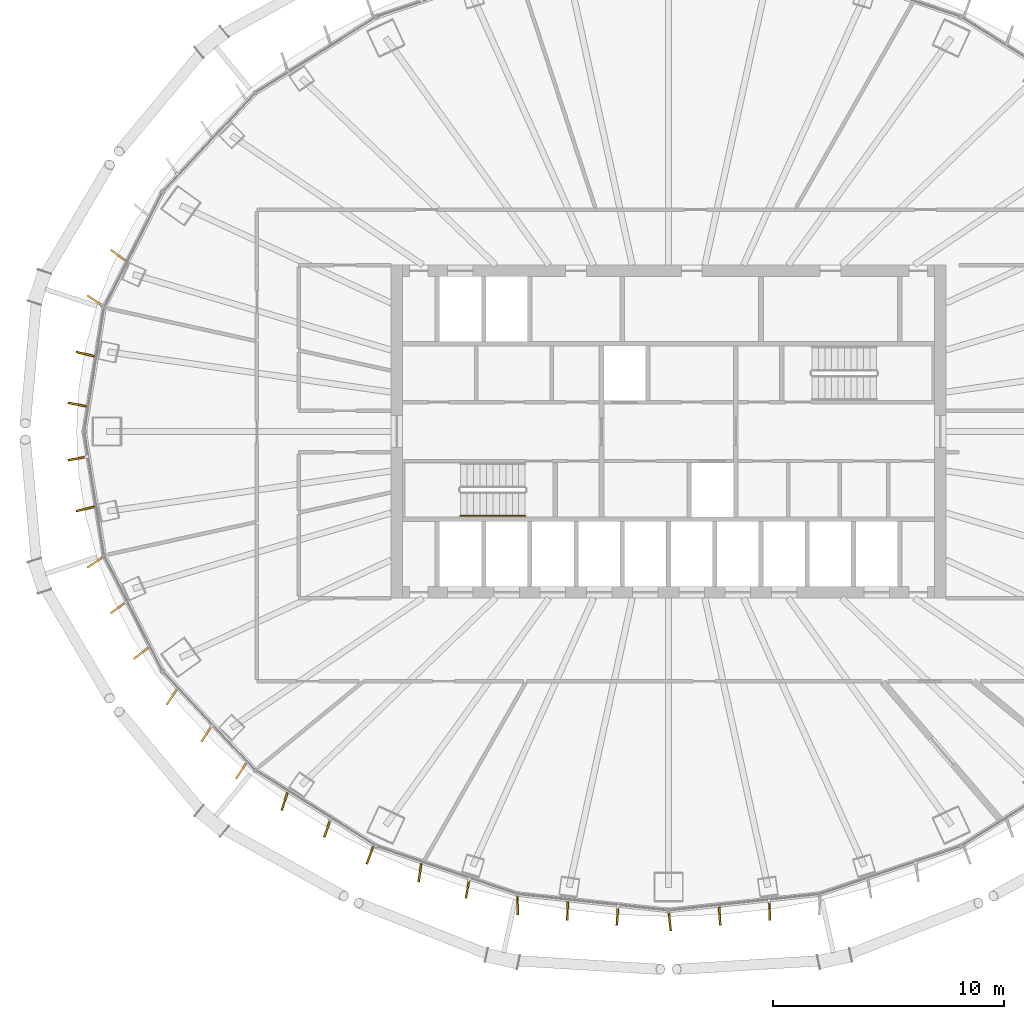
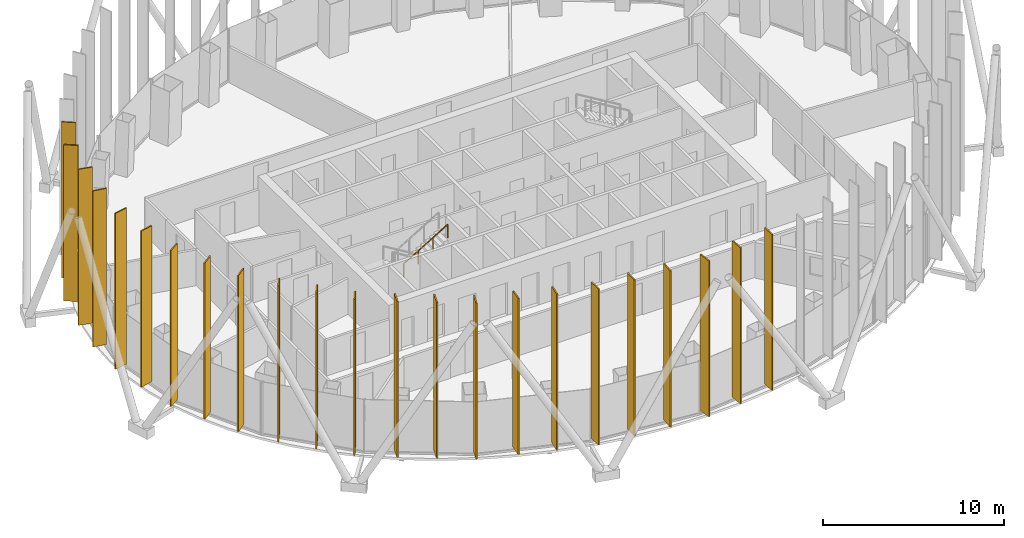
# One storey, part 16 of 19: 23 shading devices, 1 railing.
"""IFC4 building model written with IfcOpenShell, lengths in metres."""

from ifc_helpers import new_model, si_unit, direction, frame, origin, origin_2d, place, context, subcontext, project, spatial, rectangle, circle, extrude, material, layer, layer_set, type_object, element, save


model = new_model("IFC4")

# Units and contexts
model_context = context("Model", 3, precision=1e-05, world=origin(), true_north=direction((0.0, 1.0)))
body_context = subcontext(model_context, "Body", "Model", "MODEL_VIEW")
ifc_project = project(units=[si_unit("LENGTHUNIT", "METRE"), si_unit("AREAUNIT", "SQUARE_METRE"), si_unit("VOLUMEUNIT", "CUBIC_METRE"), si_unit("PLANEANGLEUNIT", "RADIAN"), si_unit("MASSUNIT", "GRAM", prefix="KILO")], contexts=[model_context])

# Site, building, storey
site_placement = place(None, origin())
site = spatial("IfcSite", under=ifc_project, at=site_placement, CompositionType="ELEMENT")
building_placement = place(site_placement, origin())
building = spatial("IfcBuilding", under=site, at=building_placement, Name="Siaravel Broadcast Tower", CompositionType="ELEMENT")
storey_placement = place(building_placement, frame((0.0, 0.0, 119.300048828125)))
storey = spatial("IfcBuildingStorey", under=building, at=storey_placement, Name="L28", CompositionType="ELEMENT", Elevation=119.300048828125)

# Shading devices
ifc_material_1 = material(Name="Bronze anodised aluminium", Category="aluminium")
ifc_layer = layer(ifc_material_1, 0.080078125)
ifc_layer_set = layer_set([ifc_layer], Name="Bronze anodised aluminium")
shading_device_type = type_object("IfcShadingDeviceType", Name="Bronze fin zone 2", PredefinedType="USERDEFINED", material=ifc_layer_set)
for number, where, z_axis, x_axis, name in (
    (1, (-23.80615234375, 7.624755859375, 0.300048828125), (0.0, 0.0, 1.0), (-0.807137574, 0.590363394, 0.0), "Bronze fin L28-30"),
    (2, (-24.802490234375, 5.6591796875, 0.300048828125), (0.0, 0.0, 1.0), (-0.830273079, 0.557356811, 0.0), "Bronze fin L28-31"),
    (3, (-25.226318359375, 3.347412109375, 0.300048828125), (0.0, 0.0, 1.0), (-0.972393954, 0.233345233, 0.0), "Bronze fin L28-32"),
    (4, (-25.57763671875, 1.16748046875, 0.300048828125), (0.0, 0.0, 1.0), (-0.982943054, 0.183910177, 0.0), "Bronze fin L28-33"),
    (5, (-25.57763671875, -1.16748046875, 0.300048828125), (0.0, 0.0, 1.0), (-0.982943054, -0.183910177, 0.0), "Bronze fin L28-34"),
    (6, (-25.226318359375, -3.347412109375, 0.300048828125), (0.0, 0.0, 1.0), (-0.972393954, -0.233345233, 0.0), "Bronze fin L28-35"),
    (7, (-24.802490234375, -5.6591796875, 0.300048828125), (0.0, 0.0, 1.0), (-0.830273079, -0.557356811, 0.0), "Bronze fin L28-36"),
    (8, (-23.80615234375, -7.624755859375, 0.300048828125), (0.0, 0.0, 1.0), (-0.807137574, -0.590363394, 0.0), "Bronze fin L28-37"),
    (9, (-22.810791015625, -9.587890625, 0.300048828125), (0.0, 0.0, 1.0), (-0.786810082, -0.617195184, 0.0), "Bronze fin L28-38"),
    (10, (-21.48583984375, -11.481689453125, 0.300048828125), (0.0, 0.0, 1.0), (-0.561615585, -0.827398293, 0.0), "Bronze fin L28-39"),
    (11, (-19.985107421875, -13.081787109375, 0.300048828125), (0.0, 0.0, 1.0), (-0.548520906, -0.83613684, 0.0), "Bronze fin L28-40"),
    (12, (-18.487060546875, -14.679931640625, 0.300048828125), (0.0, 0.0, 1.0), (-0.542925306, -0.839780991, 0.0), "Bronze fin L28-41"),
    (13, (-16.606689453125, -16.00048828125, 0.300048828125), (0.0, 0.0, 1.0), (-0.313902973, -0.949455067, 0.0), "Bronze fin L28-42"),
    (14, (-14.758544921875, -17.16357421875, 0.300048828125), (0.0, 0.0, 1.0), (-0.323991723, -0.946059915, 0.0), "Bronze fin L28-43"),
    (15, (-12.913330078125, -18.3251953125, 0.300048828125), (0.0, 0.0, 1.0), (-0.34143129, -0.939906737, 0.0), "Bronze fin L28-44"),
    (16, (-10.75341796875, -19.08154296875, 0.300048828125), (0.0, 0.0, 1.0), (-0.13857334, -0.990352174, 0.0), "Bronze fin L28-45"),
    (17, (-8.69384765625, -19.78271484375, 0.300048828125), (0.0, 0.0, 1.0), (-0.168948702, -0.985624846, 0.0), "Bronze fin L28-46"),
    (18, (-6.529296875, -20.49267578125, 0.300048828125), (0.0, 0.0, 1.0), (0.014447333, -0.999895632, 0.0), "Bronze fin L28-47"),
    (19, (-4.369384765625, -20.72705078125, 0.300048828125), (0.0, 0.0, 1.0), (-0.023969801, -0.999712683, 0.0), "Bronze fin L28-48"),
    (20, (-2.210693359375, -20.9609375, 0.300048828125), (0.0, 0.0, 1.0), (-0.065169754, -0.997874192, 0.0), "Bronze fin L28-49"),
    (21, (0.05224609375, -21.194091796875, 0.300048828125), (0.0, 0.0, 1.0), (0.107216783, -0.994235667, 0.0), "Bronze fin L28-50"),
    (22, (2.210693359375, -20.9609375, 0.300048828125), (0.0, 0.0, 1.0), (0.065169754, -0.997874192, 0.0), "Bronze fin L28-51"),
    (23, (4.369384765625, -20.72705078125, 0.300048828125), (0.0, 0.0, 1.0), (0.023969801, -0.999712683, 0.0), "Bronze fin L28-52"),
):
    element("IfcShadingDevice", number, at=place(storey_placement, frame(where, z_axis=z_axis, x_axis=x_axis)), inside=storey, type_object=shading_device_type, Name=name, ObjectType="FIN", PredefinedType="USERDEFINED", context=body_context, shape_type="SweptSolid", body=[
        extrude(rectangle(XDim=0.800048828125, YDim=0.080078125, at=origin_2d()), origin(), (0.0, 0.0, 1.0), 10.5),
    ])

# Railing
ifc_material_2 = material(Name="Stainless steel 316L", Category="steel")
railing_type = type_object("IfcRailingType", Name="Stair handrail 900", PredefinedType="HANDRAIL", material=ifc_material_2)
railing_placement = place(storey_placement, frame((-9.0, -3.64990234375, 2.01806640625)))
element("IfcRailing", 24, at=railing_placement, inside=storey, type_object=railing_type, Name="L28 ST-1 stair handrail 2", PredefinedType="HANDRAIL", context=body_context, shape_type="SweptSolid", body=[
    extrude(circle(Radius=0.02392578125, at=origin_2d()), frame((0.0, 0.0, 0.8759765625), z_axis=(0.857242211, 0.0, 0.514913383), x_axis=(0.0, 1.0, 0.0)), (0.0, 0.0, 1.0), 3.266357421875),
    extrude(circle(Radius=0.02099609375, at=origin_2d()), origin(), (0.0, 0.0, 1.0), 0.851806640625),
    extrude(circle(Radius=0.02099609375, at=origin_2d()), frame((0.933349609375, 0.0, 0.560546875)), (0.0, 0.0, 1.0), 0.851806640625),
    extrude(circle(Radius=0.02099609375, at=origin_2d()), frame((1.86669921875, 0.0, 1.121337890625)), (0.0, 0.0, 1.0), 0.851806640625),
    extrude(circle(Radius=0.02099609375, at=origin_2d()), frame((2.800048828125, 0.0, 1.681884765625)), (0.0, 0.0, 1.0), 0.851806640625),
])

save(model, "model.ifc")
